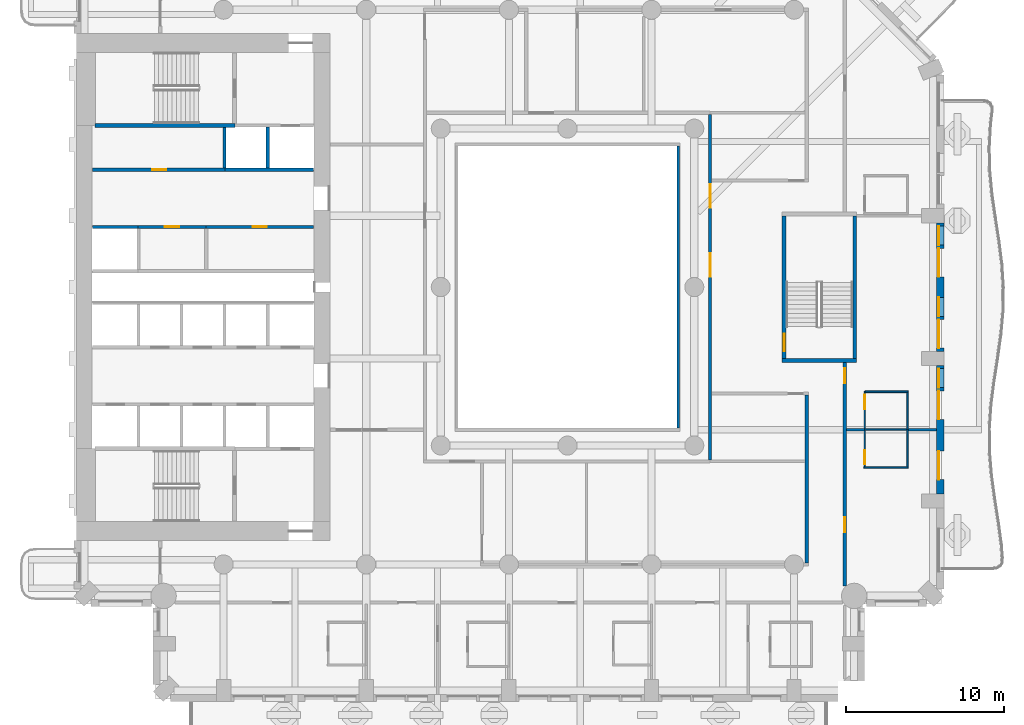
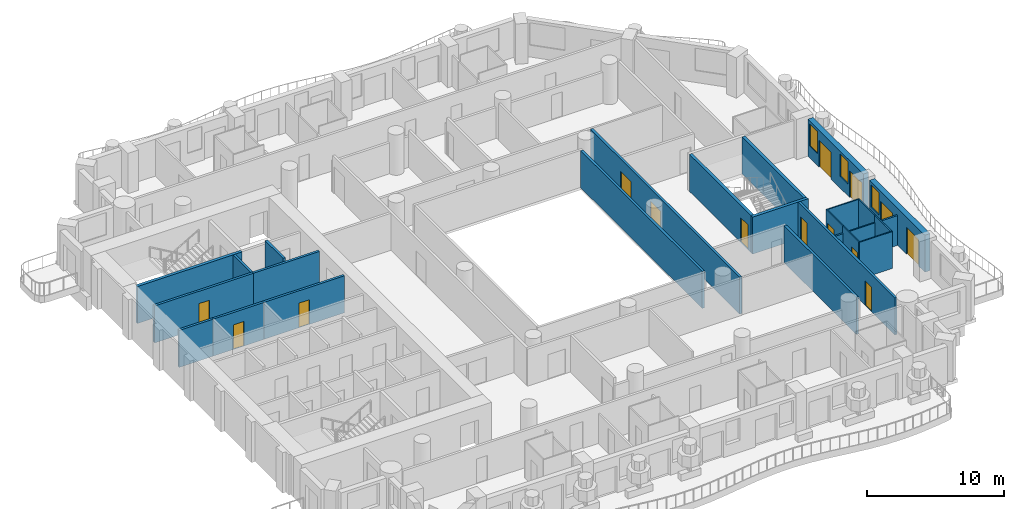
# One storey, part 6 of 19: 26 walls, 14 doors, 3 windows, 17 openings.
"""IFC4 building model written with IfcOpenShell, lengths in metres."""

import ifcopenshell
import ifcopenshell.guid

model = None  # the IFC model being written
_history = None  # IfcOwnerHistory: only IFC2X3 demands one
_inside = {}  # id of a spatial element -> (the spatial element, [elements in it])
_under = {}  # id of a project, library or spatial element -> (it, [spatial elements below it])
_declared = {}  # id of a project -> (the project, [libraries it declares])
_typed = {}  # id of a type object -> (the type object, [elements of that type])
_made_of = {}  # id of a material, layer set ... -> (it, [elements and type objects made of it])


def new_model(schema):
    """Start an empty IFC model of exactly this schema.

    Asked for "IFC4X3", IfcOpenShell would pick the latest addendum, in which some entities
    have other attributes; the version numbers below select the first issue.
    IFC2X3 requires an IfcOwnerHistory on every rooted entity: one is made here for all.
    """
    global model, _history
    if schema == "IFC4X3":
        model = ifcopenshell.file(schema_version=(4, 3, 0, 0))
    else:
        model = ifcopenshell.file(schema=schema)
    _inside.clear()
    _under.clear()
    _declared.clear()
    _typed.clear()
    _made_of.clear()
    _history = None
    if model.schema == "IFC2X3":
        org = make("IfcOrganization", Name="unknown")
        user = make(
            "IfcPersonAndOrganization",
            ThePerson=make("IfcPerson", FamilyName="unknown"),
            TheOrganization=org,
        )
        app = make(
            "IfcApplication",
            ApplicationDeveloper=org,
            Version="unknown",
            ApplicationFullName="unknown",
            ApplicationIdentifier="unknown",
        )
        _history = make(
            "IfcOwnerHistory",
            OwningUser=user,
            OwningApplication=app,
            ChangeAction="ADDED",
            CreationDate=0,
        )
    return model


def make(cls, **values):
    """One entity of the class cls with the attributes given. An attribute that is None is left unset."""
    return model.create_entity(
        cls, **{name: value for name, value in values.items() if value is not None}
    )


def rooted(cls, **values):
    """An entity with a GlobalId (a new one), such as an element, a storey or a relation."""
    return make(cls, GlobalId=ifcopenshell.guid.new(), OwnerHistory=_history, **values)


def si_unit(unit_type, name, prefix=None):
    """IfcSIUnit, for example si_unit("LENGTHUNIT", "METRE", prefix="MILLI")."""
    return make("IfcSIUnit", UnitType=unit_type, Prefix=prefix, Name=name)


def assignment(units):
    """IfcUnitAssignment: the units of a project."""
    return None if units is None else make("IfcUnitAssignment", Units=units)


def point(xyz):
    """IfcCartesianPoint."""
    return None if xyz is None else make("IfcCartesianPoint", Coordinates=xyz)


def direction(xyz):
    """IfcDirection."""
    return None if xyz is None else make("IfcDirection", DirectionRatios=xyz)


def frame(location, z_axis=None, x_axis=None):
    """IfcAxis2Placement3D, a coordinate frame: its origin and axes. An axis left out is left unset."""
    return make(
        "IfcAxis2Placement3D",
        Location=point(location),
        Axis=direction(z_axis),
        RefDirection=direction(x_axis),
    )


def frame_2d(location, x_axis=None):
    """IfcAxis2Placement2D, a coordinate frame in the plane: its origin and x axis."""
    return make(
        "IfcAxis2Placement2D", Location=point(location), RefDirection=direction(x_axis)
    )


def origin():
    """The frame at (0, 0, 0) with its axes left unset."""
    return frame((0.0, 0.0, 0.0))


def place(relative_to, where):
    """IfcLocalPlacement: puts the frame where relative to a parent placement (None: the world)."""
    return make(
        "IfcLocalPlacement", PlacementRelTo=relative_to, RelativePlacement=where
    )


def context(
    kind, dimensions, precision=None, world=None, true_north=None, identifier=None
):
    """IfcGeometricRepresentationContext, for example the 3D "Model" context."""
    return make(
        "IfcGeometricRepresentationContext",
        ContextIdentifier=identifier,
        ContextType=kind,
        CoordinateSpaceDimension=dimensions,
        Precision=precision,
        WorldCoordinateSystem=world,
        TrueNorth=true_north,
    )


def subcontext(parent, identifier, kind, view, scale=None):
    """IfcGeometricRepresentationSubContext, for example "Body" below "Model"."""
    return make(
        "IfcGeometricRepresentationSubContext",
        ContextIdentifier=identifier,
        ContextType=kind,
        ParentContext=parent,
        TargetScale=scale,
        TargetView=view,
    )


def project(units=None, contexts=None):
    """IfcProject with its units and contexts."""
    return rooted(
        "IfcProject",
        Name="project",
        RepresentationContexts=contexts,
        UnitsInContext=assignment(units),
    )


def spatial(cls, under=None, at=None, **own):
    """A site, building, storey or space (cls), placed at a placement, below another one or the project."""
    s = rooted(cls, ObjectPlacement=at, **own)
    if under is not None:
        _under.setdefault(under.id(), (under, []))[1].append(s)
    return s


def profile(cls, at=None, kind="AREA", **sizes):
    """A parametric profile (cls). Its sizes go by their IFC names, for example OverallWidth=200.0."""
    return make(cls, ProfileType=kind, Position=at, **sizes)


def rectangle(**sizes):
    """IfcRectangleProfileDef."""
    return profile("IfcRectangleProfileDef", **sizes)


def extrude(swept, where, along, depth):
    """IfcExtrudedAreaSolid: the profile swept, set in the frame where, extruded along a direction by depth."""
    return make(
        "IfcExtrudedAreaSolid",
        SweptArea=swept,
        Position=where,
        ExtrudedDirection=direction(along),
        Depth=depth,
    )


def shape(context_of_items, identifier, shape_type, items):
    """IfcShapeRepresentation: the items that make up one representation, for example the "Body"."""
    return make(
        "IfcShapeRepresentation",
        ContextOfItems=context_of_items,
        RepresentationIdentifier=identifier,
        RepresentationType=shape_type,
        Items=items,
    )


def material(Name=None, Category=None):
    """IfcMaterial."""
    return make("IfcMaterial", Name=Name, Category=Category)


def layer(
    of_material, thickness, ventilated=None, Name=None, Category=None, Priority=None
):
    """IfcMaterialLayer: one layer of a wall or slab, of a material (None: an air gap)."""
    return make(
        "IfcMaterialLayer",
        Material=of_material,
        LayerThickness=thickness,
        IsVentilated=ventilated,
        Name=Name,
        Category=Category,
        Priority=Priority,
    )


def layer_set(layers, Name=None):
    """IfcMaterialLayerSet."""
    return make("IfcMaterialLayerSet", MaterialLayers=layers, LayerSetName=Name)


def made_of(thing, what):
    """Note that an element or type object is made of a material, layer set ...; save() writes the relation."""
    if what is not None:
        _made_of.setdefault(what.id(), (what, []))[1].append(thing)
    return thing


def type_object(cls, material=None, **own):
    """A type object (cls), such as IfcWallType, which elements share."""
    return made_of(rooted(cls, **own), material)


def element(
    cls,
    number,
    at=None,
    inside=None,
    cuts=None,
    type_object=None,
    material=None,
    context=None,
    identifier="Body",
    shape_type=None,
    held_by="IfcProductDefinitionShape",
    body=None,
    shapes=None,
    **own,
):
    """One element of the class cls, such as IfcWall. Its Tag is "e" and its number.

    at: its placement. inside: the storey or other place that contains it. cuts: it is an
    opening in that element (IfcRelVoidsElement). A single representation is given by context,
    identifier, shape_type and body (its items); several are given by shapes. held_by: the class
    of the entity that holds the representations. save() writes the other relations.
    """
    e = rooted(cls, Tag="e%d" % number, ObjectPlacement=at, **own)
    if body is not None:
        shapes = [shape(context, identifier, shape_type, body)]
    if shapes is not None:
        e.Representation = make(held_by, Representations=shapes)
    if inside is not None:
        _inside.setdefault(inside.id(), (inside, []))[1].append(e)
    if cuts is not None:
        rooted(
            "IfcRelVoidsElement", RelatingBuildingElement=cuts, RelatedOpeningElement=e
        )
    if type_object is not None:
        _typed.setdefault(type_object.id(), (type_object, []))[1].append(e)
    return made_of(e, material)


def fill(opening, filler):
    """IfcRelFillsElement: the door or window that sits in an opening."""
    return rooted(
        "IfcRelFillsElement",
        RelatingOpeningElement=opening,
        RelatedBuildingElement=filler,
    )


def aggregate(whole, parts):
    """IfcRelAggregates: a whole, such as a stair, and the parts it consists of."""
    return rooted("IfcRelAggregates", RelatingObject=whole, RelatedObjects=parts)


def save(model, path):
    """Write the relations noted so far, then the file.

    IfcRelAggregates (storeys below a building ...), IfcRelContainedInSpatialStructure (elements
    in a storey), IfcRelDefinesByType, IfcRelAssociatesMaterial and IfcRelDeclares: one each for
    every whole, place, type object, material and project.
    """
    for whole, parts in _under.values():
        aggregate(whole, parts)
    for where, things in _inside.values():
        rooted(
            "IfcRelContainedInSpatialStructure",
            RelatedElements=things,
            RelatingStructure=where,
        )
    for kind, things in _typed.values():
        rooted("IfcRelDefinesByType", RelatedObjects=things, RelatingType=kind)
    for what, things in _made_of.values():
        rooted("IfcRelAssociatesMaterial", RelatedObjects=things, RelatingMaterial=what)
    for by, libraries in _declared.values():
        rooted("IfcRelDeclares", RelatingContext=by, RelatedDefinitions=libraries)
    model.write(path)


model = new_model("IFC4")

# Units and contexts
model_context = context("Model", 3, precision=1e-05, world=origin(), true_north=direction((0.0, 1.0)))
body_context = subcontext(model_context, "Body", "Model", "MODEL_VIEW")
ifc_project = project(units=[si_unit("LENGTHUNIT", "METRE"), si_unit("AREAUNIT", "SQUARE_METRE"), si_unit("VOLUMEUNIT", "CUBIC_METRE"), si_unit("PLANEANGLEUNIT", "RADIAN"), si_unit("MASSUNIT", "GRAM", prefix="KILO")], contexts=[model_context])

# Site, building, storey
site_placement = place(None, origin())
site = spatial("IfcSite", under=ifc_project, at=site_placement, CompositionType="ELEMENT")
building_placement = place(site_placement, origin())
building = spatial("IfcBuilding", under=site, at=building_placement, Name="Cypress Arch Tower", CompositionType="ELEMENT")
storey_placement = place(building_placement, frame((0.0, 0.0, 98.699951171875)))
storey = spatial("IfcBuildingStorey", under=building, at=storey_placement, Name="L19", CompositionType="ELEMENT", Elevation=98.699951171875)

# Wall, openings, doors, window
ifc_material_1 = material(Name="Brick (red buff blend)", Category="masonry")
ifc_layer_1 = layer(ifc_material_1, 0.449951171875)
ifc_layer_set_1 = layer_set([ifc_layer_1], Name="Brick pier and spandrel wall BW450")
wall_type_1 = type_object("IfcWallType", Name="Brick pier and spandrel wall BW450", PredefinedType="SOLIDWALL", material=ifc_layer_set_1)
wall_1_placement = place(storey_placement, frame((24.52490234375, -13.050048828125, 0.0), z_axis=(0.0, 0.0, 1.0), x_axis=(0.0, 1.0, 0.0)))
wall_1 = element("IfcWall", 1, at=wall_1_placement, inside=storey, type_object=wall_type_1, Name="Brick wall L19 A06.1", PredefinedType="SOLIDWALL", context=body_context, shape_type="SweptSolid", body=[
    extrude(rectangle(XDim=8.10009765625, YDim=0.449951171875, at=frame_2d((4.050048828125, 0.0))), origin(), (0.0, 0.0, 1.0), 3.300048828125),
])
opening_1_placement = place(wall_1_placement, frame((0.89990234375, 0.0, 0.0)))
opening_1 = element("IfcOpeningElement", 2, at=opening_1_placement, cuts=wall_1, Name="Opening D-L19-A06.1.1", PredefinedType="OPENING", context=body_context, shape_type="SweptSolid", body=[
    extrude(rectangle(XDim=1.800048828125, YDim=2.39990234375, at=frame_2d((0.89990234375, 1.199951171875))), frame((0.0, 0.23486328125, 0.0), z_axis=(0.0, -1.0, 0.0), x_axis=(1.0, 0.0, 0.0)), (0.0, 0.0, 1.0), 0.469970703125),
])
opening_2_placement = place(wall_1_placement, frame((4.699951171875, 0.0, 0.0)))
opening_2 = element("IfcOpeningElement", 3, at=opening_2_placement, cuts=wall_1, Name="Opening D-L19-A06.1.2", PredefinedType="OPENING", context=body_context, shape_type="SweptSolid", body=[
    extrude(rectangle(XDim=1.800048828125, YDim=2.39990234375, at=frame_2d((0.89990234375, 1.199951171875))), frame((0.0, 0.23486328125, 0.0), z_axis=(0.0, -1.0, 0.0), x_axis=(1.0, 0.0, 0.0)), (0.0, 0.0, 1.0), 0.469970703125),
])
opening_3_placement = place(wall_1_placement, frame((6.699951171875, 0.0, 1.050048828125)))
opening_3 = element("IfcOpeningElement", 4, at=opening_3_placement, cuts=wall_1, Name="Opening W120HD", PredefinedType="OPENING", context=body_context, shape_type="SweptSolid", body=[
    extrude(rectangle(XDim=1.199951171875, YDim=2.0, at=frame_2d((0.60009765625, 1.0))), frame((0.0, 0.23486328125, 0.0), z_axis=(0.0, -1.0, 0.0), x_axis=(1.0, 0.0, 0.0)), (0.0, 0.0, 1.0), 0.469970703125),
])
ifc_material_2 = material(Name="Anodised aluminium, bronze finish, laminated low-emissivity double glazing, large-missile impact rated", Category="aluminium")
door_type_1 = type_object("IfcDoorType", Name="Balcony sliding door 1800x2400", OperationType="SLIDING_TO_LEFT", PredefinedType="DOOR", material=ifc_material_2)
door_1_placement = place(opening_1_placement, origin())
door_1 = element("IfcDoor", 5, at=door_1_placement, inside=storey, type_object=door_type_1, Name="Balcony door L19 A06.1.1", OperationType="SLIDING_TO_LEFT", OverallHeight=2.39990234375, OverallWidth=1.800048828125, PredefinedType="DOOR", context=body_context, shape_type="SweptSolid", body=[
    extrude(rectangle(XDim=1.800048828125, YDim=2.39990234375, at=frame_2d((0.89990234375, 1.199951171875))), frame((0.0, 0.1298828125, 0.0), z_axis=(0.0, -1.0, 0.0), x_axis=(1.0, 0.0, 0.0)), (0.0, 0.0, 1.0), 0.050048828125),
])
fill(opening_1, door_1)
door_2_placement = place(opening_2_placement, origin())
door_2 = element("IfcDoor", 6, at=door_2_placement, inside=storey, type_object=door_type_1, Name="Balcony door L19 A06.1.2", OperationType="SLIDING_TO_LEFT", OverallHeight=2.39990234375, OverallWidth=1.800048828125, PredefinedType="DOOR", context=body_context, shape_type="SweptSolid", body=[
    extrude(rectangle(XDim=1.800048828125, YDim=2.39990234375, at=frame_2d((0.89990234375, 1.199951171875))), frame((0.0, 0.1298828125, 0.0), z_axis=(0.0, -1.0, 0.0), x_axis=(1.0, 0.0, 0.0)), (0.0, 0.0, 1.0), 0.050048828125),
])
fill(opening_2, door_2)
ifc_material_3 = material(Name="Anodised aluminium, bronze finish, laminated low-emissivity double glazing, large-missile impact rated", Category="aluminium")
window_type = type_object("IfcWindowType", Name="Window Hotel 1200x2000 debris-rated", PartitioningType="SINGLE_PANEL", PredefinedType="WINDOW", material=ifc_material_3)
window_1_placement = place(opening_3_placement, origin())
window_1 = element("IfcWindow", 7, at=window_1_placement, inside=storey, type_object=window_type, Name="Window L19 A06.1.2", OverallHeight=2.0, OverallWidth=1.199951171875, PartitioningType="SINGLE_PANEL", PredefinedType="WINDOW", context=body_context, shape_type="SweptSolid", body=[
    extrude(rectangle(XDim=1.199951171875, YDim=2.0, at=frame_2d((0.60009765625, 1.0))), frame((0.0, 0.135009765625, 0.0), z_axis=(0.0, -1.0, 0.0), x_axis=(1.0, 0.0, 0.0)), (0.0, 0.0, 1.0), 0.06005859375),
])
fill(opening_3, window_1)

# Wall, openings, doors, windows
wall_2_placement = place(storey_placement, frame((24.52490234375, -4.050048828125, 0.0), z_axis=(0.0, 0.0, 1.0), x_axis=(0.0, 1.0, 0.0)))
wall_2 = element("IfcWall", 8, at=wall_2_placement, inside=storey, type_object=wall_type_1, Name="Brick wall L19 A06.2", PredefinedType="SOLIDWALL", context=body_context, shape_type="SweptSolid", body=[
    extrude(rectangle(XDim=8.10009765625, YDim=0.449951171875, at=frame_2d((4.050048828125, 0.0))), origin(), (0.0, 0.0, 1.0), 3.300048828125),
])
opening_4_placement = place(wall_2_placement, frame((0.199951171875, 0.0, 0.0)))
opening_4 = element("IfcOpeningElement", 9, at=opening_4_placement, cuts=wall_2, Name="Opening D-L19-A06.2.1", PredefinedType="OPENING", context=body_context, shape_type="SweptSolid", body=[
    extrude(rectangle(XDim=1.800048828125, YDim=2.39990234375, at=frame_2d((0.89990234375, 1.199951171875))), frame((0.0, 0.23486328125, 0.0), z_axis=(0.0, -1.0, 0.0), x_axis=(1.0, 0.0, 0.0)), (0.0, 0.0, 1.0), 0.469970703125),
])
opening_5_placement = place(wall_2_placement, frame((2.199951171875, 0.0, 1.050048828125)))
opening_5 = element("IfcOpeningElement", 10, at=opening_5_placement, cuts=wall_2, Name="Opening W120HD", PredefinedType="OPENING", context=body_context, shape_type="SweptSolid", body=[
    extrude(rectangle(XDim=1.199951171875, YDim=2.0, at=frame_2d((0.60009765625, 1.0))), frame((0.0, 0.23486328125, 0.0), z_axis=(0.0, -1.0, 0.0), x_axis=(1.0, 0.0, 0.0)), (0.0, 0.0, 1.0), 0.469970703125),
])
opening_6_placement = place(wall_2_placement, frame((4.699951171875, 0.0, 0.0)))
opening_6 = element("IfcOpeningElement", 11, at=opening_6_placement, cuts=wall_2, Name="Opening D-L19-A06.2.2", PredefinedType="OPENING", context=body_context, shape_type="SweptSolid", body=[
    extrude(rectangle(XDim=1.800048828125, YDim=2.39990234375, at=frame_2d((0.89990234375, 1.199951171875))), frame((0.0, 0.23486328125, 0.0), z_axis=(0.0, -1.0, 0.0), x_axis=(1.0, 0.0, 0.0)), (0.0, 0.0, 1.0), 0.469970703125),
])
opening_7_placement = place(wall_2_placement, frame((6.699951171875, 0.0, 1.050048828125)))
opening_7 = element("IfcOpeningElement", 12, at=opening_7_placement, cuts=wall_2, Name="Opening W120HD", PredefinedType="OPENING", context=body_context, shape_type="SweptSolid", body=[
    extrude(rectangle(XDim=1.199951171875, YDim=2.0, at=frame_2d((0.60009765625, 1.0))), frame((0.0, 0.23486328125, 0.0), z_axis=(0.0, -1.0, 0.0), x_axis=(1.0, 0.0, 0.0)), (0.0, 0.0, 1.0), 0.469970703125),
])
door_3_placement = place(opening_4_placement, origin())
door_3 = element("IfcDoor", 13, at=door_3_placement, inside=storey, type_object=door_type_1, Name="Balcony door L19 A06.2.1", OperationType="SLIDING_TO_LEFT", OverallHeight=2.39990234375, OverallWidth=1.800048828125, PredefinedType="DOOR", context=body_context, shape_type="SweptSolid", body=[
    extrude(rectangle(XDim=1.800048828125, YDim=2.39990234375, at=frame_2d((0.89990234375, 1.199951171875))), frame((0.0, 0.1298828125, 0.0), z_axis=(0.0, -1.0, 0.0), x_axis=(1.0, 0.0, 0.0)), (0.0, 0.0, 1.0), 0.050048828125),
])
fill(opening_4, door_3)
door_4_placement = place(opening_6_placement, origin())
door_4 = element("IfcDoor", 14, at=door_4_placement, inside=storey, type_object=door_type_1, Name="Balcony door L19 A06.2.2", OperationType="SLIDING_TO_LEFT", OverallHeight=2.39990234375, OverallWidth=1.800048828125, PredefinedType="DOOR", context=body_context, shape_type="SweptSolid", body=[
    extrude(rectangle(XDim=1.800048828125, YDim=2.39990234375, at=frame_2d((0.89990234375, 1.199951171875))), frame((0.0, 0.1298828125, 0.0), z_axis=(0.0, -1.0, 0.0), x_axis=(1.0, 0.0, 0.0)), (0.0, 0.0, 1.0), 0.050048828125),
])
fill(opening_6, door_4)
window_2_placement = place(opening_5_placement, origin())
window_2 = element("IfcWindow", 15, at=window_2_placement, inside=storey, type_object=window_type, Name="Window L19 A06.2.1", OverallHeight=2.0, OverallWidth=1.199951171875, PartitioningType="SINGLE_PANEL", PredefinedType="WINDOW", context=body_context, shape_type="SweptSolid", body=[
    extrude(rectangle(XDim=1.199951171875, YDim=2.0, at=frame_2d((0.60009765625, 1.0))), frame((0.0, 0.135009765625, 0.0), z_axis=(0.0, -1.0, 0.0), x_axis=(1.0, 0.0, 0.0)), (0.0, 0.0, 1.0), 0.06005859375),
])
fill(opening_5, window_2)
window_3_placement = place(opening_7_placement, origin())
window_3 = element("IfcWindow", 16, at=window_3_placement, inside=storey, type_object=window_type, Name="Window L19 A06.2.2", OverallHeight=2.0, OverallWidth=1.199951171875, PartitioningType="SINGLE_PANEL", PredefinedType="WINDOW", context=body_context, shape_type="SweptSolid", body=[
    extrude(rectangle(XDim=1.199951171875, YDim=2.0, at=frame_2d((0.60009765625, 1.0))), frame((0.0, 0.135009765625, 0.0), z_axis=(0.0, -1.0, 0.0), x_axis=(1.0, 0.0, 0.0)), (0.0, 0.0, 1.0), 0.06005859375),
])
fill(opening_7, window_3)

# Wall, opening, door
ifc_material_4 = material(Name="Concrete blockwork, plastered, rated", Category="masonry")
ifc_layer_2 = layer(ifc_material_4, 0.199951171875)
ifc_layer_set_2 = layer_set([ifc_layer_2], Name="Corridor wall FW200")
wall_type_2 = type_object("IfcWallType", Name="Corridor wall FW200", PredefinedType="PARTITIONING", material=ifc_layer_set_2)
wall_3_placement = place(storey_placement, frame((-28.969970703125, 7.39990234375, 0.0), z_axis=(0.0, 0.0, 1.0), x_axis=(1.0, 0.0, 0.0)))
wall_3 = element("IfcWall", 17, at=wall_3_placement, inside=storey, type_object=wall_type_2, Name="Corridor wall", PredefinedType="PARTITIONING", context=body_context, shape_type="SweptSolid", body=[
    extrude(rectangle(XDim=8.349853515625, YDim=0.199951171875, at=frame_2d((4.1748046875, 0.0))), origin(), (0.0, 0.0, 1.0), 3.300048828125),
])
opening_8_placement = place(wall_3_placement, frame((3.75, 0.0, 0.0)))
opening_8 = element("IfcOpeningElement", 18, at=opening_8_placement, cuts=wall_3, Name="Opening D05", PredefinedType="OPENING", context=body_context, shape_type="SweptSolid", body=[
    extrude(rectangle(XDim=0.89990234375, YDim=2.199951171875, at=frame_2d((0.449951171875, 1.10009765625))), frame((0.0, 0.10986328125, 0.0), z_axis=(0.0, -1.0, 0.0), x_axis=(1.0, 0.0, 0.0)), (0.0, 0.0, 1.0), 0.219970703125),
])
ifc_material_5 = material(Name="Timber flush door", Category="wood")
door_type_2 = type_object("IfcDoorType", Name="Service door D05 900x2200", OperationType="SINGLE_SWING_LEFT", PredefinedType="DOOR", material=ifc_material_5)
door_5_placement = place(opening_8_placement, origin())
door_5 = element("IfcDoor", 19, at=door_5_placement, inside=storey, type_object=door_type_2, Name="Service door", OperationType="SINGLE_SWING_RIGHT", OverallHeight=2.199951171875, OverallWidth=0.89990234375, PredefinedType="DOOR", context=body_context, shape_type="SweptSolid", body=[
    extrude(rectangle(XDim=0.89990234375, YDim=2.199951171875, at=frame_2d((0.449951171875, 1.10009765625))), frame((0.0, 0.02490234375, 0.0), z_axis=(0.0, -1.0, 0.0), x_axis=(1.0, 0.0, 0.0)), (0.0, 0.0, 1.0), 0.050048828125),
])
fill(opening_8, door_5)

wall_4_placement = place(storey_placement, frame((-21.820068359375, 3.800048828125, 0.0), z_axis=(0.0, 0.0, 1.0), x_axis=(1.0, 0.0, 0.0)))
wall_4 = element("IfcWall", 20, at=wall_4_placement, inside=storey, type_object=wall_type_2, Name="Corridor wall", PredefinedType="PARTITIONING", context=body_context, shape_type="SweptSolid", body=[
    extrude(rectangle(XDim=6.7900390625, YDim=0.199951171875, at=frame_2d((3.39501953125, 0.0))), origin(), (0.0, 0.0, 1.0), 3.300048828125),
])
opening_9_placement = place(wall_4_placement, frame((2.949951171875, 0.0, 0.0)))
opening_9 = element("IfcOpeningElement", 21, at=opening_9_placement, cuts=wall_4, Name="Opening D05", PredefinedType="OPENING", context=body_context, shape_type="SweptSolid", body=[
    extrude(rectangle(XDim=0.89990234375, YDim=2.199951171875, at=frame_2d((0.449951171875, 1.10009765625))), frame((0.0, 0.10986328125, 0.0), z_axis=(0.0, -1.0, 0.0), x_axis=(1.0, 0.0, 0.0)), (0.0, 0.0, 1.0), 0.219970703125),
])
door_6_placement = place(opening_9_placement, origin())
door_6 = element("IfcDoor", 22, at=door_6_placement, inside=storey, type_object=door_type_2, Name="Service door", OperationType="SINGLE_SWING_RIGHT", OverallHeight=2.199951171875, OverallWidth=0.89990234375, PredefinedType="DOOR", context=body_context, shape_type="SweptSolid", body=[
    extrude(rectangle(XDim=0.89990234375, YDim=2.199951171875, at=frame_2d((0.449951171875, 1.10009765625))), frame((0.0, 0.02490234375, 0.0), z_axis=(0.0, -1.0, 0.0), x_axis=(1.0, 0.0, 0.0)), (0.0, 0.0, 1.0), 0.050048828125),
])
fill(opening_9, door_6)

# Wall
wall_5_placement = place(storey_placement, frame((8.0, -8.89990234375, 0.0), z_axis=(0.0, 0.0, 1.0), x_axis=(0.0, 1.0, 0.0)))
element("IfcWall", 23, at=wall_5_placement, inside=storey, type_object=wall_type_2, Name="Corridor wall", PredefinedType="PARTITIONING", context=body_context, shape_type="SweptSolid", body=[
    extrude(rectangle(XDim=17.7998046875, YDim=0.199951171875, at=frame_2d((8.89990234375, 0.0))), origin(), (0.0, 0.0, 1.0), 3.300048828125),
])

# Wall, openings, doors
wall_6_placement = place(storey_placement, frame((10.0, -10.89990234375, 0.0), z_axis=(0.0, 0.0, 1.0), x_axis=(0.0, 1.0, 0.0)))
wall_6 = element("IfcWall", 24, at=wall_6_placement, inside=storey, type_object=wall_type_2, Name="Corridor wall", PredefinedType="PARTITIONING", context=body_context, shape_type="SweptSolid", body=[
    extrude(rectangle(XDim=21.7998046875, YDim=0.199951171875, at=frame_2d((10.89990234375, 0.0))), origin(), (0.0, 0.0, 1.0), 3.300048828125),
])
opening_10_placement = place(wall_6_placement, frame((15.89990234375, 0.0, 0.0)))
opening_10 = element("IfcOpeningElement", 25, at=opening_10_placement, cuts=wall_6, Name="Opening D04", PredefinedType="OPENING", context=body_context, shape_type="SweptSolid", body=[
    extrude(rectangle(XDim=1.5, YDim=2.199951171875, at=frame_2d((0.75, 1.10009765625))), frame((0.0, 0.10986328125, 0.0), z_axis=(0.0, -1.0, 0.0), x_axis=(1.0, 0.0, 0.0)), (0.0, 0.0, 1.0), 0.219970703125),
])
opening_11_placement = place(wall_6_placement, frame((11.550048828125, 0.0, 0.0)))
opening_11 = element("IfcOpeningElement", 26, at=opening_11_placement, cuts=wall_6, Name="Opening D04", PredefinedType="OPENING", context=body_context, shape_type="SweptSolid", body=[
    extrude(rectangle(XDim=1.5, YDim=2.199951171875, at=frame_2d((0.75, 1.10009765625))), frame((0.0, 0.10986328125, 0.0), z_axis=(0.0, -1.0, 0.0), x_axis=(1.0, 0.0, 0.0)), (0.0, 0.0, 1.0), 0.219970703125),
])
ifc_material_6 = material(Name="Timber double door", Category="wood")
door_type_3 = type_object("IfcDoorType", Name="Double door D04 1500x2200", OperationType="DOUBLE_DOOR_SINGLE_SWING", PredefinedType="DOOR", material=ifc_material_6)
door_7_placement = place(opening_10_placement, origin())
door_7 = element("IfcDoor", 27, at=door_7_placement, inside=storey, type_object=door_type_3, Name="Double door", OperationType="DOUBLE_DOOR_SINGLE_SWING", OverallHeight=2.199951171875, OverallWidth=1.5, PredefinedType="DOOR", context=body_context, shape_type="SweptSolid", body=[
    extrude(rectangle(XDim=1.5, YDim=2.199951171875, at=frame_2d((0.75, 1.10009765625))), frame((0.0, 0.02490234375, 0.0), z_axis=(0.0, -1.0, 0.0), x_axis=(1.0, 0.0, 0.0)), (0.0, 0.0, 1.0), 0.050048828125),
])
fill(opening_10, door_7)
door_8_placement = place(opening_11_placement, origin())
door_8 = element("IfcDoor", 28, at=door_8_placement, inside=storey, type_object=door_type_3, Name="Double door", OperationType="DOUBLE_DOOR_SINGLE_SWING", OverallHeight=2.199951171875, OverallWidth=1.5, PredefinedType="DOOR", context=body_context, shape_type="SweptSolid", body=[
    extrude(rectangle(XDim=1.5, YDim=2.199951171875, at=frame_2d((0.75, 1.10009765625))), frame((0.0, 0.02490234375, 0.0), z_axis=(0.0, -1.0, 0.0), x_axis=(1.0, 0.0, 0.0)), (0.0, 0.0, 1.0), 0.050048828125),
])
fill(opening_11, door_8)

# Wall
wall_7_placement = place(storey_placement, frame((16.10009765625, -17.39990234375, 0.0), z_axis=(0.0, 0.0, 1.0), x_axis=(0.0, 1.0, 0.0)))
element("IfcWall", 29, at=wall_7_placement, inside=storey, type_object=wall_type_2, Name="Corridor wall", PredefinedType="PARTITIONING", context=body_context, shape_type="SweptSolid", body=[
    extrude(rectangle(XDim=10.574951171875, YDim=0.199951171875, at=frame_2d((5.28759765625, 0.0))), origin(), (0.0, 0.0, 1.0), 3.300048828125),
])

# Wall, openings, doors
wall_8_placement = place(storey_placement, frame((18.5, -18.869140625, 0.0), z_axis=(0.0, 0.0, 1.0), x_axis=(0.0, 1.0, 0.0)))
wall_8 = element("IfcWall", 30, at=wall_8_placement, inside=storey, type_object=wall_type_2, Name="Corridor wall", PredefinedType="PARTITIONING", context=body_context, shape_type="SweptSolid", body=[
    extrude(rectangle(XDim=14.119140625, YDim=0.199951171875, at=frame_2d((7.0595703125, 0.0))), origin(), (0.0, 0.0, 1.0), 3.300048828125),
])
opening_12_placement = place(wall_8_placement, frame((3.39990234375, 0.0, 0.0)))
opening_12 = element("IfcOpeningElement", 31, at=opening_12_placement, cuts=wall_8, Name="Opening D02", PredefinedType="OPENING", context=body_context, shape_type="SweptSolid", body=[
    extrude(rectangle(XDim=0.949951171875, YDim=2.199951171875, at=frame_2d((0.47509765625, 1.10009765625))), frame((0.0, 0.10986328125, 0.0), z_axis=(0.0, -1.0, 0.0), x_axis=(1.0, 0.0, 0.0)), (0.0, 0.0, 1.0), 0.219970703125),
])
opening_13_placement = place(wall_8_placement, frame((12.800048828125, 0.0, 0.0)))
opening_13 = element("IfcOpeningElement", 32, at=opening_13_placement, cuts=wall_8, Name="Opening D02", PredefinedType="OPENING", context=body_context, shape_type="SweptSolid", body=[
    extrude(rectangle(XDim=0.949951171875, YDim=2.199951171875, at=frame_2d((0.47509765625, 1.10009765625))), frame((0.0, 0.10986328125, 0.0), z_axis=(0.0, -1.0, 0.0), x_axis=(1.0, 0.0, 0.0)), (0.0, 0.0, 1.0), 0.219970703125),
])
ifc_material_7 = material(Name="Timber flush door, fire resisting", Category="wood")
door_type_4 = type_object("IfcDoorType", Name="Room door D02 950x2200", OperationType="SINGLE_SWING_LEFT", PredefinedType="DOOR", material=ifc_material_7)
door_9_placement = place(opening_12_placement, origin())
door_9 = element("IfcDoor", 33, at=door_9_placement, inside=storey, type_object=door_type_4, Name="Room door", OperationType="SINGLE_SWING_RIGHT", OverallHeight=2.199951171875, OverallWidth=0.949951171875, PredefinedType="DOOR", context=body_context, shape_type="SweptSolid", body=[
    extrude(rectangle(XDim=0.949951171875, YDim=2.199951171875, at=frame_2d((0.47509765625, 1.10009765625))), frame((0.0, 0.02490234375, 0.0), z_axis=(0.0, -1.0, 0.0), x_axis=(1.0, 0.0, 0.0)), (0.0, 0.0, 1.0), 0.050048828125),
])
fill(opening_12, door_9)
door_10_placement = place(opening_13_placement, origin())
door_10 = element("IfcDoor", 34, at=door_10_placement, inside=storey, type_object=door_type_4, Name="Room door", OperationType="SINGLE_SWING_LEFT", OverallHeight=2.199951171875, OverallWidth=0.949951171875, PredefinedType="DOOR", context=body_context, shape_type="SweptSolid", body=[
    extrude(rectangle(XDim=0.949951171875, YDim=2.199951171875, at=frame_2d((0.47509765625, 1.10009765625))), frame((0.0, 0.02490234375, 0.0), z_axis=(0.0, -1.0, 0.0), x_axis=(1.0, 0.0, 0.0)), (0.0, 0.0, 1.0), 0.050048828125),
])
fill(opening_13, door_10)

# Walls
ifc_material_8 = material(Name="Blockwork, plastered both sides", Category="masonry")
ifc_layer_3 = layer(ifc_material_8, 0.14990234375)
ifc_layer_set_3 = layer_set([ifc_layer_3], Name="Partition PW150")
wall_type_3 = type_object("IfcWallType", Name="Partition PW150", PredefinedType="PARTITIONING", material=ifc_layer_set_3)
wall_9_placement = place(storey_placement, frame((18.60009765625, -9.0, 0.0), z_axis=(0.0, 0.0, 1.0), x_axis=(1.0, 0.0, 0.0)))
element("IfcWall", 35, at=wall_9_placement, inside=storey, type_object=wall_type_3, Name="Partition", PredefinedType="PARTITIONING", context=body_context, shape_type="SweptSolid", body=[
    extrude(rectangle(XDim=1.1298828125, YDim=0.14990234375, at=frame_2d((0.56494140625, 0.0))), origin(), (0.0, 0.0, 1.0), 2.650146484375),
])
wall_10_placement = place(storey_placement, frame((22.469970703125, -9.0, 0.0), z_axis=(0.0, 0.0, 1.0), x_axis=(1.0, 0.0, 0.0)))
element("IfcWall", 36, at=wall_10_placement, inside=storey, type_object=wall_type_3, Name="Partition", PredefinedType="PARTITIONING", context=body_context, shape_type="SweptSolid", body=[
    extrude(rectangle(XDim=1.830078125, YDim=0.14990234375, at=frame_2d((0.9150390625, 0.0))), origin(), (0.0, 0.0, 1.0), 2.650146484375),
])

# Wall, opening, door
ifc_material_9 = material(Name="Reinforced blockwork, plastered, rated", Category="masonry")
ifc_layer_4 = layer(ifc_material_9, 0.199951171875)
ifc_layer_set_4 = layer_set([ifc_layer_4], Name="Plant and riser wall PL200")
wall_type_4 = type_object("IfcWallType", Name="Plant and riser wall PL200", PredefinedType="PARTITIONING", material=ifc_layer_set_4)
wall_11_placement = place(storey_placement, frame((-26.10009765625, 3.800048828125, 0.0), z_axis=(0.0, 0.0, 1.0), x_axis=(1.0, 0.0, 0.0)))
wall_11 = element("IfcWall", 37, at=wall_11_placement, inside=storey, type_object=wall_type_4, Name="Plant and riser wall", PredefinedType="PARTITIONING", context=body_context, shape_type="SweptSolid", body=[
    extrude(rectangle(XDim=4.280029296875, YDim=0.199951171875, at=frame_2d((2.14013671875, 0.0))), origin(), (0.0, 0.0, 1.0), 3.300048828125),
])
opening_14_placement = place(wall_11_placement, frame((1.699951171875, 0.0, 0.0)))
opening_14 = element("IfcOpeningElement", 38, at=opening_14_placement, cuts=wall_11, Name="Opening D05", PredefinedType="OPENING", context=body_context, shape_type="SweptSolid", body=[
    extrude(rectangle(XDim=0.89990234375, YDim=2.199951171875, at=frame_2d((0.449951171875, 1.10009765625))), frame((0.0, 0.10986328125, 0.0), z_axis=(0.0, -1.0, 0.0), x_axis=(1.0, 0.0, 0.0)), (0.0, 0.0, 1.0), 0.219970703125),
])
door_11_placement = place(opening_14_placement, origin())
door_11 = element("IfcDoor", 39, at=door_11_placement, inside=storey, type_object=door_type_2, Name="Service door", OperationType="SINGLE_SWING_RIGHT", OverallHeight=2.199951171875, OverallWidth=0.89990234375, PredefinedType="DOOR", context=body_context, shape_type="SweptSolid", body=[
    extrude(rectangle(XDim=0.89990234375, YDim=2.199951171875, at=frame_2d((0.449951171875, 1.10009765625))), frame((0.0, 0.02490234375, 0.0), z_axis=(0.0, -1.0, 0.0), x_axis=(1.0, 0.0, 0.0)), (0.0, 0.0, 1.0), 0.050048828125),
])
fill(opening_14, door_11)

# Walls
ifc_material_10 = material(Name="Concrete C50/60", Category="concrete")
ifc_layer_5 = layer(ifc_material_10, 0.199951171875)
ifc_layer_set_5 = layer_set([ifc_layer_5], Name="Shaft wall SH200")
wall_type_5 = type_object("IfcWallType", Name="Shaft wall SH200", PredefinedType="SHEAR", material=ifc_layer_set_5)
wall_12_placement = place(storey_placement, frame((-28.969970703125, 3.800048828125, 0.0), z_axis=(0.0, 0.0, 1.0), x_axis=(1.0, 0.0, 0.0)))
element("IfcWall", 40, at=wall_12_placement, inside=storey, type_object=wall_type_5, Name="Shaft wall", PredefinedType="SHEAR", context=body_context, shape_type="SweptSolid", body=[
    extrude(rectangle(XDim=2.869873046875, YDim=0.199951171875, at=frame_2d((1.43505859375, 0.0))), origin(), (0.0, 0.0, 1.0), 3.300048828125),
])
wall_13_placement = place(storey_placement, frame((-20.639892578125, 7.5, 0.0), z_axis=(0.0, 0.0, 1.0), x_axis=(0.0, 1.0, 0.0)))
element("IfcWall", 41, at=wall_13_placement, inside=storey, type_object=wall_type_5, Name="Shaft wall", PredefinedType="SHEAR", context=body_context, shape_type="SweptSolid", body=[
    extrude(rectangle(XDim=2.574951171875, YDim=0.199951171875, at=frame_2d((1.28759765625, 0.0))), origin(), (0.0, 0.0, 1.0), 3.300048828125),
])
wall_14_placement = place(storey_placement, frame((-20.6201171875, 7.39990234375, 0.0), z_axis=(0.0, 0.0, 1.0), x_axis=(1.0, 0.0, 0.0)))
element("IfcWall", 42, at=wall_14_placement, inside=storey, type_object=wall_type_5, Name="Shaft wall", PredefinedType="SHEAR", context=body_context, shape_type="SweptSolid", body=[
    extrude(rectangle(XDim=5.590087890625, YDim=0.199951171875, at=frame_2d((2.794921875, 0.0))), origin(), (0.0, 0.0, 1.0), 3.300048828125),
])
wall_15_placement = place(storey_placement, frame((-17.919921875, 7.5, 0.0), z_axis=(0.0, 0.0, 1.0), x_axis=(0.0, 1.0, 0.0)))
element("IfcWall", 43, at=wall_15_placement, inside=storey, type_object=wall_type_5, Name="Shaft wall", PredefinedType="SHEAR", context=body_context, shape_type="SweptSolid", body=[
    extrude(rectangle(XDim=2.60009765625, YDim=0.199951171875, at=frame_2d((1.300048828125, 0.0))), origin(), (0.0, 0.0, 1.0), 3.60009765625),
])
ifc_material_11 = material(Name="Concrete C50/60", Category="concrete")
ifc_layer_6 = layer(ifc_material_11, 0.25)
ifc_layer_set_6 = layer_set([ifc_layer_6], Name="Stair enclosure wall SW250")
wall_type_6 = type_object("IfcWallType", Name="Stair enclosure wall SW250", PredefinedType="SHEAR", material=ifc_layer_set_6)
wall_16_placement = place(storey_placement, frame((-28.81005859375, 10.199951171875, 0.0), z_axis=(0.0, 0.0, 1.0), x_axis=(1.0, 0.0, 0.0)))
element("IfcWall", 44, at=wall_16_placement, inside=storey, type_object=wall_type_6, Name="Stair enclosure wall", PredefinedType="SHEAR", context=body_context, shape_type="SweptSolid", body=[
    extrude(rectangle(XDim=8.830078125, YDim=0.25, at=frame_2d((4.4150390625, 0.0))), origin(), (0.0, 0.0, 1.0), 3.300048828125),
])

# Wall, opening, door
wall_17_placement = place(storey_placement, frame((14.675048828125, -4.5, 0.0), z_axis=(0.0, 0.0, 1.0), x_axis=(0.0, 1.0, 0.0)))
wall_17 = element("IfcWall", 45, at=wall_17_placement, inside=storey, type_object=wall_type_6, Name="Stair enclosure wall", PredefinedType="SHEAR", context=body_context, shape_type="SweptSolid", body=[
    extrude(rectangle(XDim=9.0, YDim=0.25, at=frame_2d((4.5, 0.0))), origin(), (0.0, 0.0, 1.0), 3.300048828125),
])
opening_15_placement = place(wall_17_placement, frame((0.449951171875, 0.0, 0.0)))
opening_15 = element("IfcOpeningElement", 46, at=opening_15_placement, cuts=wall_17, Name="Opening D06", PredefinedType="OPENING", context=body_context, shape_type="SweptSolid", body=[
    extrude(rectangle(XDim=1.10009765625, YDim=2.199951171875, at=frame_2d((0.550048828125, 1.10009765625))), frame((0.0, 0.135009765625, 0.0), z_axis=(0.0, -1.0, 0.0), x_axis=(1.0, 0.0, 0.0)), (0.0, 0.0, 1.0), 0.27001953125),
])
ifc_material_12 = material(Name="Steel door, fire resisting, panic bar", Category="steel")
door_type_5 = type_object("IfcDoorType", Name="Stair door D06 1100x2200", OperationType="SINGLE_SWING_LEFT", PredefinedType="DOOR", material=ifc_material_12)
door_12_placement = place(opening_15_placement, origin())
door_12 = element("IfcDoor", 47, at=door_12_placement, inside=storey, type_object=door_type_5, Name="Stair door", OperationType="SINGLE_SWING_RIGHT", OverallHeight=2.199951171875, OverallWidth=1.10009765625, PredefinedType="DOOR", context=body_context, shape_type="SweptSolid", body=[
    extrude(rectangle(XDim=1.10009765625, YDim=2.199951171875, at=frame_2d((0.550048828125, 1.10009765625))), frame((0.0, 0.02490234375, 0.0), z_axis=(0.0, -1.0, 0.0), x_axis=(1.0, 0.0, 0.0)), (0.0, 0.0, 1.0), 0.050048828125),
])
fill(opening_15, door_12)

# Walls
wall_18_placement = place(storey_placement, frame((14.550048828125, -4.625, 0.0), z_axis=(0.0, 0.0, 1.0), x_axis=(1.0, 0.0, 0.0)))
element("IfcWall", 48, at=wall_18_placement, inside=storey, type_object=wall_type_6, Name="Stair enclosure wall", PredefinedType="SHEAR", context=body_context, shape_type="SweptSolid", body=[
    extrude(rectangle(XDim=4.699951171875, YDim=0.25, at=frame_2d((2.35009765625, 0.0))), origin(), (0.0, 0.0, 1.0), 3.300048828125),
])
wall_19_placement = place(storey_placement, frame((19.125, -4.5, 0.0), z_axis=(0.0, 0.0, 1.0), x_axis=(0.0, 1.0, 0.0)))
element("IfcWall", 49, at=wall_19_placement, inside=storey, type_object=wall_type_6, Name="Stair enclosure wall", PredefinedType="SHEAR", context=body_context, shape_type="SweptSolid", body=[
    extrude(rectangle(XDim=9.0, YDim=0.25, at=frame_2d((4.5, 0.0))), origin(), (0.0, 0.0, 1.0), 3.300048828125),
])
ifc_material_13 = material(Name="Moisture resistant board on steel studs, tiled", Category="steel")
ifc_layer_7 = layer(ifc_material_13, 0.10009765625)
ifc_layer_set_7 = layer_set([ifc_layer_7], Name="Wet wall PW100")
wall_type_7 = type_object("IfcWallType", Name="Wet wall PW100", PredefinedType="PARTITIONING", material=ifc_layer_set_7)
wall_20_placement = place(storey_placement, frame((19.72998046875, -9.0, 0.0), z_axis=(0.0, 0.0, 1.0), x_axis=(1.0, 0.0, 0.0)))
element("IfcWall", 50, at=wall_20_placement, inside=storey, type_object=wall_type_7, Name="Wet wall", PredefinedType="PARTITIONING", context=body_context, shape_type="SweptSolid", body=[
    extrude(rectangle(XDim=2.739990234375, YDim=0.10009765625, at=frame_2d((1.3701171875, 0.0))), origin(), (0.0, 0.0, 1.0), 2.650146484375),
])

# Wall, opening, door
wall_21_placement = place(storey_placement, frame((19.75, -11.345947265625, 0.0), z_axis=(0.0, 0.0, 1.0), x_axis=(0.0, 1.0, 0.0)))
wall_21 = element("IfcWall", 51, at=wall_21_placement, inside=storey, type_object=wall_type_7, Name="Wet wall", PredefinedType="PARTITIONING", context=body_context, shape_type="SweptSolid", body=[
    extrude(rectangle(XDim=2.345947265625, YDim=0.10009765625, at=frame_2d((1.1728515625, 0.0))), origin(), (0.0, 0.0, 1.0), 3.300048828125),
])
opening_16_placement = place(wall_21_placement, frame((0.14990234375, 0.0, 0.0)))
opening_16 = element("IfcOpeningElement", 52, at=opening_16_placement, cuts=wall_21, Name="Opening D03", PredefinedType="OPENING", context=body_context, shape_type="SweptSolid", body=[
    extrude(rectangle(XDim=0.89990234375, YDim=2.199951171875, at=frame_2d((0.449951171875, 1.10009765625))), frame((0.0, 0.06005859375, 0.0), z_axis=(0.0, -1.0, 0.0), x_axis=(1.0, 0.0, 0.0)), (0.0, 0.0, 1.0), 0.1201171875),
])
ifc_material_14 = material(Name="Timber flush door, moisture resistant", Category="wood")
door_type_6 = type_object("IfcDoorType", Name="Bathroom door D03 900x2200", OperationType="SINGLE_SWING_LEFT", PredefinedType="DOOR", material=ifc_material_14)
door_13_placement = place(opening_16_placement, origin())
door_13 = element("IfcDoor", 53, at=door_13_placement, inside=storey, type_object=door_type_6, Name="Bathroom door", OperationType="SINGLE_SWING_RIGHT", OverallHeight=2.199951171875, OverallWidth=0.89990234375, PredefinedType="DOOR", context=body_context, shape_type="SweptSolid", body=[
    extrude(rectangle(XDim=0.89990234375, YDim=2.199951171875, at=frame_2d((0.449951171875, 1.10009765625))), frame((0.0, 0.02490234375, 0.0), z_axis=(0.0, -1.0, 0.0), x_axis=(1.0, 0.0, 0.0)), (0.0, 0.0, 1.0), 0.050048828125),
])
fill(opening_16, door_13)

# Wall
wall_22_placement = place(storey_placement, frame((19.699951171875, -11.39599609375, 0.0), z_axis=(0.0, 0.0, 1.0), x_axis=(1.0, 0.0, 0.0)))
element("IfcWall", 54, at=wall_22_placement, inside=storey, type_object=wall_type_7, Name="Wet wall", PredefinedType="PARTITIONING", context=body_context, shape_type="SweptSolid", body=[
    extrude(rectangle(XDim=2.800048828125, YDim=0.10009765625, at=frame_2d((1.39990234375, 0.0))), origin(), (0.0, 0.0, 1.0), 3.300048828125),
])

# Wall, opening, door
wall_23_placement = place(storey_placement, frame((19.75, -9.0, 0.0), z_axis=(0.0, 0.0, 1.0), x_axis=(0.000399241409, 0.999999920303, 0.0)))
wall_23 = element("IfcWall", 55, at=wall_23_placement, inside=storey, type_object=wall_type_7, Name="Wet wall", PredefinedType="PARTITIONING", context=body_context, shape_type="SweptSolid", body=[
    extrude(rectangle(XDim=2.446044921875, YDim=0.10009765625, at=frame_2d((1.22314453125, 0.0))), origin(), (0.0, 0.0, 1.0), 3.300048828125),
])
opening_17_placement = place(wall_23_placement, frame((1.300048828125, 0.0, 0.0)))
opening_17 = element("IfcOpeningElement", 56, at=opening_17_placement, cuts=wall_23, Name="Opening D03", PredefinedType="OPENING", context=body_context, shape_type="SweptSolid", body=[
    extrude(rectangle(XDim=0.89990234375, YDim=2.199951171875, at=frame_2d((0.449951171875, 1.10009765625))), frame((0.0, 0.06005859375, 0.0), z_axis=(0.0, -1.0, 0.0), x_axis=(1.0, 0.0, 0.0)), (0.0, 0.0, 1.0), 0.1201171875),
])
door_14_placement = place(opening_17_placement, origin())
door_14 = element("IfcDoor", 57, at=door_14_placement, inside=storey, type_object=door_type_6, Name="Bathroom door", OperationType="SINGLE_SWING_LEFT", OverallHeight=2.199951171875, OverallWidth=0.89990234375, PredefinedType="DOOR", context=body_context, shape_type="SweptSolid", body=[
    extrude(rectangle(XDim=0.89990234375, YDim=2.199951171875, at=frame_2d((0.449951171875, 1.10009765625))), frame((0.0, 0.02490234375, 0.0), z_axis=(0.0, -1.0, 0.0), x_axis=(1.0, 0.0, 0.0)), (0.0, 0.0, 1.0), 0.050048828125),
])
fill(opening_17, door_14)

# Walls
wall_24_placement = place(storey_placement, frame((19.801025390625, -6.60400390625, 0.0), z_axis=(0.0, 0.0, 1.0), x_axis=(0.999999934588, -0.000361696332, 0.0)))
element("IfcWall", 58, at=wall_24_placement, inside=storey, type_object=wall_type_7, Name="Wet wall", PredefinedType="PARTITIONING", context=body_context, shape_type="SweptSolid", body=[
    extrude(rectangle(XDim=2.699951171875, YDim=0.10009765625, at=frame_2d((1.35009765625, 0.0))), origin(), (0.0, 0.0, 1.0), 3.300048828125),
])
wall_25_placement = place(storey_placement, frame((22.449951171875, -11.345947265625, 0.0), z_axis=(0.0, 0.0, 1.0), x_axis=(0.0, 1.0, 0.0)))
element("IfcWall", 59, at=wall_25_placement, inside=storey, type_object=wall_type_7, Name="Wet wall", PredefinedType="PARTITIONING", context=body_context, shape_type="SweptSolid", body=[
    extrude(rectangle(XDim=2.345947265625, YDim=0.10009765625, at=frame_2d((1.1728515625, 0.0))), origin(), (0.0, 0.0, 1.0), 3.300048828125),
])
wall_26_placement = place(storey_placement, frame((22.449951171875, -9.0, 0.0), z_axis=(0.0, 0.0, 1.0), x_axis=(0.00041644973, 0.999999913285, 0.0)))
element("IfcWall", 60, at=wall_26_placement, inside=storey, type_object=wall_type_7, Name="Wet wall", PredefinedType="PARTITIONING", context=body_context, shape_type="SweptSolid", body=[
    extrude(rectangle(XDim=2.344970703125, YDim=0.10009765625, at=frame_2d((1.17236328125, 0.0))), origin(), (0.0, 0.0, 1.0), 3.300048828125),
])

save(model, "model.ifc")
